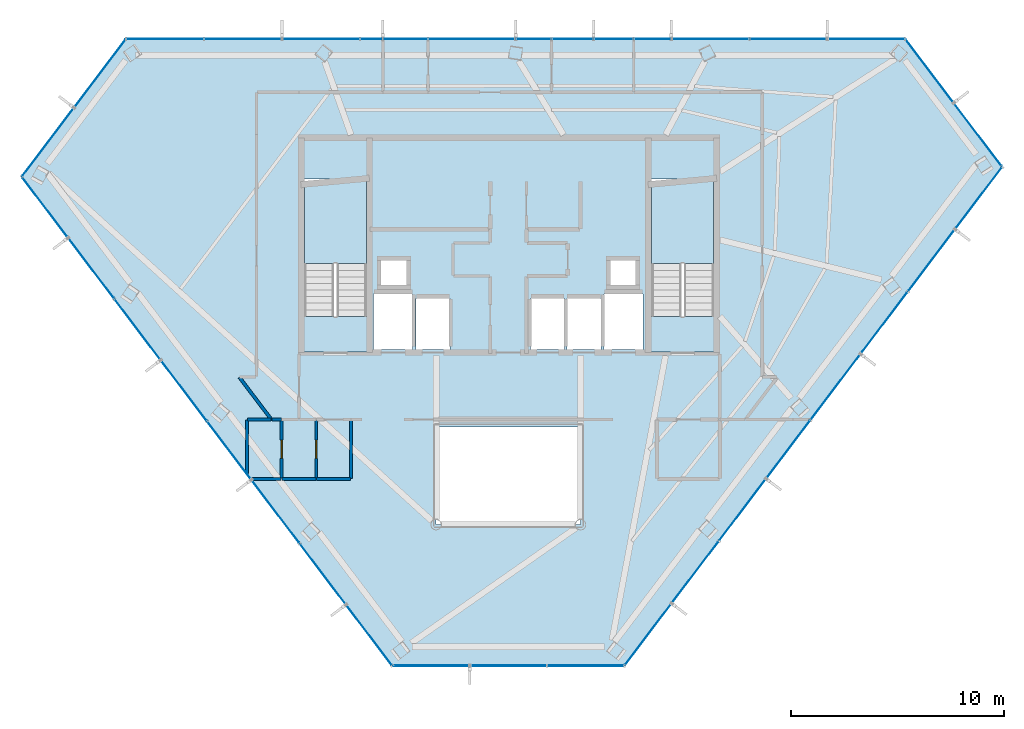
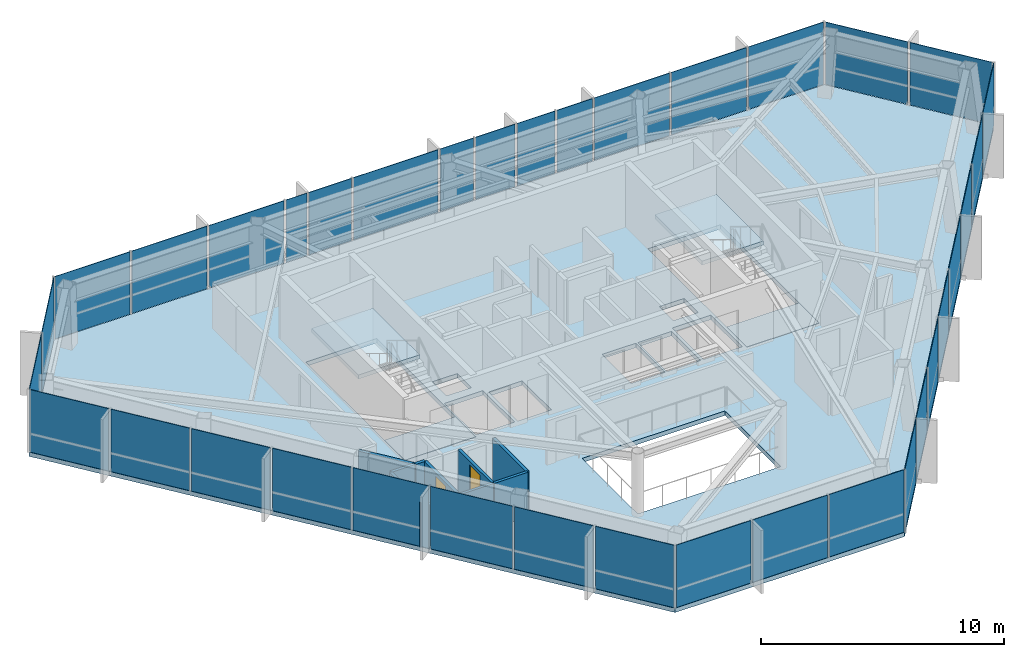
# One storey, part 21 of 25: 36 plates, 10 walls, 5 slabs, 2 doors, 2 openings, 8 elements without a shape of their own.
"""IFC4 building model written with IfcOpenShell, lengths in metres."""

from ifc_helpers import new_model, si_unit, direction, frame, frame_2d, origin, origin_2d, place, context, subcontext, project, spatial, polyline, rectangle, outline, extrude, material, layer, layer_set, type_object, element, fill, aggregate, save


model = new_model("IFC4")

# Units and contexts
model_context = context("Model", 3, precision=1e-05, world=origin(), true_north=direction((0.0, 1.0)))
body_context = subcontext(model_context, "Body", "Model", "MODEL_VIEW")
ifc_project = project(units=[si_unit("LENGTHUNIT", "METRE"), si_unit("AREAUNIT", "SQUARE_METRE"), si_unit("VOLUMEUNIT", "CUBIC_METRE"), si_unit("PLANEANGLEUNIT", "RADIAN"), si_unit("MASSUNIT", "GRAM", prefix="KILO")], contexts=[model_context])

# Site, building, storey
site_placement = place(None, origin())
site = spatial("IfcSite", under=ifc_project, at=site_placement, CompositionType="ELEMENT")
building_placement = place(site_placement, origin())
building = spatial("IfcBuilding", under=site, at=building_placement, Name="Zarrinselat Tower", CompositionType="ELEMENT")
storey_placement = place(building_placement, frame((0.0, 0.0, 246.159912109375)))
storey = spatial("IfcBuildingStorey", under=building, at=storey_placement, Name="L62", CompositionType="ELEMENT", Elevation=246.159912109375)

# Curtain wall, plates
ifc_material_1 = material(Name="Extruded Aluminium Alloy EN AW-6063 T6", Category="aluminium")
ifc_layer_1 = layer(ifc_material_1, 0.169921875)
ifc_layer_set_1 = layer_set([ifc_layer_1], Name="Extruded Aluminium Alloy EN AW-6063 T6")
curtain_wall_type = type_object("IfcCurtainWallType", Name="CWS-RES", PredefinedType="NOTDEFINED", material=ifc_layer_set_1)
curtain_wall_1_placement = place(storey_placement, origin())
curtain_wall_1 = element("IfcCurtainWall", 1, at=curtain_wall_1_placement, inside=storey, type_object=curtain_wall_type, Name="L62 Unitised Curtain Wall CW-L62-E01", PredefinedType="NOTDEFINED")
ifc_material_2 = material(Name="Double Low-E Laminated Solar Glass", Category="glass")
ifc_layer_2 = layer(ifc_material_2, 0.028076171875)
ifc_layer_set_2 = layer_set([ifc_layer_2], Name="Double Low-E Laminated Solar Glass")
plate_type = type_object("IfcPlateType", Name="PLT-CW-GL28", PredefinedType="CURTAIN_PANEL", material=ifc_layer_set_2)
plate_1_placement = place(storey_placement, frame((55.236083984375, 48.06103515625, 0.02001953125), z_axis=(0.0, 0.0, 1.0), x_axis=(-1.0, 0.0, 0.0)))
plate_1 = element("IfcPlate", 2, at=plate_1_placement, type_object=plate_type, Name="CW-L62-E01 Vision Glass Panel 1", PredefinedType="CURTAIN_PANEL", context=body_context, shape_type="SweptSolid", body=[
    extrude(rectangle(XDim=3.564697265625, YDim=0.028076171875, at=origin_2d()), origin(), (0.0, 0.0, 1.0), 3.139892578125),
])
plate_2_placement = place(storey_placement, frame((51.5712890625, 48.06103515625, 0.02001953125), z_axis=(0.0, 0.0, 1.0), x_axis=(-1.0, 0.0, 0.0)))
plate_2 = element("IfcPlate", 3, at=plate_2_placement, type_object=plate_type, Name="CW-L62-E01 Vision Glass Panel 2", PredefinedType="CURTAIN_PANEL", context=body_context, shape_type="SweptSolid", body=[
    extrude(rectangle(XDim=3.564697265625, YDim=0.028076171875, at=origin_2d()), origin(), (0.0, 0.0, 1.0), 3.139892578125),
])
plate_3_placement = place(storey_placement, frame((47.90673828125, 48.06103515625, 0.02001953125), z_axis=(0.0, 0.0, 1.0), x_axis=(-1.0, 0.0, 0.0)))
plate_3 = element("IfcPlate", 4, at=plate_3_placement, type_object=plate_type, Name="CW-L62-E01 Vision Glass Panel 3", PredefinedType="CURTAIN_PANEL", context=body_context, shape_type="SweptSolid", body=[
    extrude(rectangle(XDim=3.564697265625, YDim=0.028076171875, at=origin_2d()), origin(), (0.0, 0.0, 1.0), 3.139892578125),
])
plate_4_placement = place(storey_placement, frame((45.18701171875, 48.06103515625, 0.02001953125), z_axis=(0.0, 0.0, 1.0), x_axis=(-1.0, 0.0, 0.0)))
plate_4 = element("IfcPlate", 5, at=plate_4_placement, type_object=plate_type, Name="CW-L62-E01 Vision Glass Panel 4", PredefinedType="CURTAIN_PANEL", context=body_context, shape_type="SweptSolid", body=[
    extrude(rectangle(XDim=1.67431640625, YDim=0.028076171875, at=origin_2d()), origin(), (0.0, 0.0, 1.0), 3.139892578125),
])
plate_5_placement = place(storey_placement, frame((43.354736328125, 48.06103515625, 0.02001953125), z_axis=(0.0, 0.0, 1.0), x_axis=(-1.0, 0.0, 0.0)))
plate_5 = element("IfcPlate", 6, at=plate_5_placement, type_object=plate_type, Name="CW-L62-E01 Vision Glass Panel 5", PredefinedType="CURTAIN_PANEL", context=body_context, shape_type="SweptSolid", body=[
    extrude(rectangle(XDim=1.79052734375, YDim=0.028076171875, at=origin_2d()), origin(), (0.0, 0.0, 1.0), 3.139892578125),
])
plate_6_placement = place(storey_placement, frame((41.419677734375, 48.06103515625, 0.02001953125), z_axis=(0.0, 0.0, 1.0), x_axis=(-1.0, 0.0, 0.0)))
plate_6 = element("IfcPlate", 7, at=plate_6_placement, type_object=plate_type, Name="CW-L62-E01 Vision Glass Panel 6", PredefinedType="CURTAIN_PANEL", context=body_context, shape_type="SweptSolid", body=[
    extrude(rectangle(XDim=1.8798828125, YDim=0.028076171875, at=origin_2d()), origin(), (0.0, 0.0, 1.0), 3.139892578125),
])
plate_7_placement = place(storey_placement, frame((39.587158203125, 48.06103515625, 0.02001953125), z_axis=(0.0, 0.0, 1.0), x_axis=(-1.0, 0.0, 0.0)))
plate_7 = element("IfcPlate", 8, at=plate_7_placement, type_object=plate_type, Name="CW-L62-E01 Vision Glass Panel 7", PredefinedType="CURTAIN_PANEL", context=body_context, shape_type="SweptSolid", body=[
    extrude(rectangle(XDim=1.584716796875, YDim=0.028076171875, at=origin_2d()), origin(), (0.0, 0.0, 1.0), 3.139892578125),
])
plate_8_placement = place(storey_placement, frame((36.684326171875, 48.06103515625, 0.02001953125), z_axis=(0.0, 0.0, 1.0), x_axis=(-1.0, 0.0, 0.0)))
plate_8 = element("IfcPlate", 9, at=plate_8_placement, type_object=plate_type, Name="CW-L62-E01 Vision Glass Panel 8", PredefinedType="CURTAIN_PANEL", context=body_context, shape_type="SweptSolid", body=[
    extrude(rectangle(XDim=4.020751953125, YDim=0.028076171875, at=origin_2d()), origin(), (0.0, 0.0, 1.0), 3.139892578125),
])
plate_9_placement = place(storey_placement, frame((33.56201171875, 48.06103515625, 0.02001953125), z_axis=(0.0, 0.0, 1.0), x_axis=(-1.0, 0.0, 0.0)))
plate_9 = element("IfcPlate", 10, at=plate_9_placement, type_object=plate_type, Name="CW-L62-E01 Vision Glass Panel 9", PredefinedType="CURTAIN_PANEL", context=body_context, shape_type="SweptSolid", body=[
    extrude(rectangle(XDim=2.02392578125, YDim=0.028076171875, at=origin_2d()), origin(), (0.0, 0.0, 1.0), 3.139892578125),
])
plate_10_placement = place(storey_placement, frame((31.95751953125, 48.06103515625, 0.02001953125), z_axis=(0.0, 0.0, 1.0), x_axis=(-1.0, 0.0, 0.0)))
plate_10 = element("IfcPlate", 11, at=plate_10_placement, type_object=plate_type, Name="CW-L62-E01 Vision Glass Panel 10", PredefinedType="CURTAIN_PANEL", context=body_context, shape_type="SweptSolid", body=[
    extrude(rectangle(XDim=0.98486328125, YDim=0.028076171875, at=origin_2d()), origin(), (0.0, 0.0, 1.0), 3.139892578125),
])
plate_11_placement = place(storey_placement, frame((29.582763671875, 48.06103515625, 0.02001953125), z_axis=(0.0, 0.0, 1.0), x_axis=(-1.0, 0.0, 0.0)))
plate_11 = element("IfcPlate", 12, at=plate_11_placement, type_object=plate_type, Name="CW-L62-E01 Vision Glass Panel 11", PredefinedType="CURTAIN_PANEL", context=body_context, shape_type="SweptSolid", body=[
    extrude(rectangle(XDim=3.564697265625, YDim=0.028076171875, at=origin_2d()), origin(), (0.0, 0.0, 1.0), 3.139892578125),
])
plate_12_placement = place(storey_placement, frame((25.918212890625, 48.06103515625, 0.02001953125), z_axis=(0.0, 0.0, 1.0), x_axis=(-1.0, 0.0, 0.0)))
plate_12 = element("IfcPlate", 13, at=plate_12_placement, type_object=plate_type, Name="CW-L62-E01 Vision Glass Panel 12", PredefinedType="CURTAIN_PANEL", context=body_context, shape_type="SweptSolid", body=[
    extrude(rectangle(XDim=3.564697265625, YDim=0.028076171875, at=origin_2d()), origin(), (0.0, 0.0, 1.0), 3.139892578125),
])
plate_13_placement = place(storey_placement, frame((22.25341796875, 48.06103515625, 0.02001953125), z_axis=(0.0, 0.0, 1.0), x_axis=(-1.0, 0.0, 0.0)))
plate_13 = element("IfcPlate", 14, at=plate_13_placement, type_object=plate_type, Name="CW-L62-E01 Vision Glass Panel 13", PredefinedType="CURTAIN_PANEL", context=body_context, shape_type="SweptSolid", body=[
    extrude(rectangle(XDim=3.564697265625, YDim=0.028076171875, at=origin_2d()), origin(), (0.0, 0.0, 1.0), 3.139892578125),
])
aggregate(curtain_wall_1, [plate_1, plate_2, plate_3, plate_4, plate_5, plate_6, plate_7, plate_8, plate_9, plate_10, plate_11, plate_12, plate_13])

curtain_wall_2_placement = place(storey_placement, origin())
curtain_wall_2 = element("IfcCurtainWall", 15, at=curtain_wall_2_placement, inside=storey, type_object=curtain_wall_type, Name="L62 Unitised Curtain Wall CW-L62-E02", PredefinedType="NOTDEFINED")
plate_14_placement = place(storey_placement, frame((19.192626953125, 46.439697265625, 0.02001953125), z_axis=(0.0, 0.0, 1.0), x_axis=(-0.603859107785, -0.797091072554, 0.0)))
plate_14 = element("IfcPlate", 16, at=plate_14_placement, type_object=plate_type, Name="CW-L62-E02 Vision Glass Panel 1", PredefinedType="CURTAIN_PANEL", context=body_context, shape_type="SweptSolid", body=[
    extrude(rectangle(XDim=3.96826171875, YDim=0.028076171875, at=origin_2d()), origin(), (0.0, 0.0, 1.0), 3.139892578125),
])
plate_15_placement = place(storey_placement, frame((16.736083984375, 43.197021484375, 0.02001953125), z_axis=(0.0, 0.0, 1.0), x_axis=(-0.603859107785, -0.797091072554, 0.0)))
plate_15 = element("IfcPlate", 17, at=plate_15_placement, type_object=plate_type, Name="CW-L62-E02 Vision Glass Panel 2", PredefinedType="CURTAIN_PANEL", context=body_context, shape_type="SweptSolid", body=[
    extrude(rectangle(XDim=3.96826171875, YDim=0.028076171875, at=origin_2d()), origin(), (0.0, 0.0, 1.0), 3.139892578125),
])
aggregate(curtain_wall_2, [plate_14, plate_15])

curtain_wall_3_placement = place(storey_placement, origin())
curtain_wall_3 = element("IfcCurtainWall", 18, at=curtain_wall_3_placement, inside=storey, type_object=curtain_wall_type, Name="L62 Unitised Curtain Wall CW-L62-E03", PredefinedType="NOTDEFINED")
plate_16_placement = place(storey_placement, frame((16.597412109375, 40.137451171875, 0.02001953125), z_axis=(0.0, 0.0, 1.0), x_axis=(0.603857888062, -0.797091996588, 0.0)))
plate_16 = element("IfcPlate", 19, at=plate_16_placement, type_object=plate_type, Name="CW-L62-E03 Vision Glass Panel 1", PredefinedType="CURTAIN_PANEL", context=body_context, shape_type="SweptSolid", body=[
    extrude(rectangle(XDim=3.5087890625, YDim=0.028076171875, at=origin_2d()), origin(), (0.0, 0.0, 1.0), 3.139892578125),
])
plate_17_placement = place(storey_placement, frame((18.776611328125, 37.2607421875, 0.02001953125), z_axis=(0.0, 0.0, 1.0), x_axis=(0.603857888062, -0.797091996588, 0.0)))
plate_17 = element("IfcPlate", 20, at=plate_17_placement, type_object=plate_type, Name="CW-L62-E03 Vision Glass Panel 2", PredefinedType="CURTAIN_PANEL", context=body_context, shape_type="SweptSolid", body=[
    extrude(rectangle(XDim=3.5087890625, YDim=0.028076171875, at=origin_2d()), origin(), (0.0, 0.0, 1.0), 3.139892578125),
])
plate_18_placement = place(storey_placement, frame((20.955810546875, 34.384033203125, 0.02001953125), z_axis=(0.0, 0.0, 1.0), x_axis=(0.603857888062, -0.797091996588, 0.0)))
plate_18 = element("IfcPlate", 21, at=plate_18_placement, type_object=plate_type, Name="CW-L62-E03 Vision Glass Panel 3", PredefinedType="CURTAIN_PANEL", context=body_context, shape_type="SweptSolid", body=[
    extrude(rectangle(XDim=3.5087890625, YDim=0.028076171875, at=origin_2d()), origin(), (0.0, 0.0, 1.0), 3.139892578125),
])
plate_19_placement = place(storey_placement, frame((23.135009765625, 31.507568359375, 0.02001953125), z_axis=(0.0, 0.0, 1.0), x_axis=(0.603857888062, -0.797091996588, 0.0)))
plate_19 = element("IfcPlate", 22, at=plate_19_placement, type_object=plate_type, Name="CW-L62-E03 Vision Glass Panel 4", PredefinedType="CURTAIN_PANEL", context=body_context, shape_type="SweptSolid", body=[
    extrude(rectangle(XDim=3.5087890625, YDim=0.028076171875, at=origin_2d()), origin(), (0.0, 0.0, 1.0), 3.139892578125),
])
plate_20_placement = place(storey_placement, frame((25.2685546875, 28.69140625, 0.02001953125), z_axis=(0.0, 0.0, 1.0), x_axis=(0.603857888062, -0.797091996588, 0.0)))
plate_20 = element("IfcPlate", 23, at=plate_20_placement, type_object=plate_type, Name="CW-L62-E03 Vision Glass Panel 5", PredefinedType="CURTAIN_PANEL", context=body_context, shape_type="SweptSolid", body=[
    extrude(rectangle(XDim=3.356689453125, YDim=0.028076171875, at=origin_2d()), origin(), (0.0, 0.0, 1.0), 3.139892578125),
])
plate_21_placement = place(storey_placement, frame((27.44775390625, 25.81494140625, 0.02001953125), z_axis=(0.0, 0.0, 1.0), x_axis=(0.603857888062, -0.797091996588, 0.0)))
plate_21 = element("IfcPlate", 24, at=plate_21_placement, type_object=plate_type, Name="CW-L62-E03 Vision Glass Panel 6", PredefinedType="CURTAIN_PANEL", context=body_context, shape_type="SweptSolid", body=[
    extrude(rectangle(XDim=3.660888671875, YDim=0.028076171875, at=origin_2d()), origin(), (0.0, 0.0, 1.0), 3.139892578125),
])
plate_22_placement = place(storey_placement, frame((29.6728515625, 22.877685546875, 0.02001953125), z_axis=(0.0, 0.0, 1.0), x_axis=(0.603857888062, -0.797091996588, 0.0)))
plate_22 = element("IfcPlate", 25, at=plate_22_placement, type_object=plate_type, Name="CW-L62-E03 Vision Glass Panel 7", PredefinedType="CURTAIN_PANEL", context=body_context, shape_type="SweptSolid", body=[
    extrude(rectangle(XDim=3.5087890625, YDim=0.028076171875, at=origin_2d()), origin(), (0.0, 0.0, 1.0), 3.139892578125),
])
plate_23_placement = place(storey_placement, frame((31.852294921875, 20.0009765625, 0.02001953125), z_axis=(0.0, 0.0, 1.0), x_axis=(0.603857888062, -0.797091996588, 0.0)))
plate_23 = element("IfcPlate", 26, at=plate_23_placement, type_object=plate_type, Name="CW-L62-E03 Vision Glass Panel 8", PredefinedType="CURTAIN_PANEL", context=body_context, shape_type="SweptSolid", body=[
    extrude(rectangle(XDim=3.5087890625, YDim=0.028076171875, at=origin_2d()), origin(), (0.0, 0.0, 1.0), 3.139892578125),
])
aggregate(curtain_wall_3, [plate_16, plate_17, plate_18, plate_19, plate_20, plate_21, plate_22, plate_23])

curtain_wall_4_placement = place(storey_placement, origin())
curtain_wall_4 = element("IfcCurtainWall", 27, at=curtain_wall_4_placement, inside=storey, type_object=curtain_wall_type, Name="L62 Unitised Curtain Wall CW-L62-E04", PredefinedType="NOTDEFINED")
plate_24_placement = place(storey_placement, frame((34.76123046875, 18.562744140625, 0.02001953125), z_axis=(0.0, 0.0, 1.0), x_axis=(1.0, 0.0, 0.0)))
plate_24 = element("IfcPlate", 28, at=plate_24_placement, type_object=plate_type, Name="CW-L62-E04 Vision Glass Panel 1", PredefinedType="CURTAIN_PANEL", context=body_context, shape_type="SweptSolid", body=[
    extrude(rectangle(XDim=3.538818359375, YDim=0.028076171875, at=origin_2d()), origin(), (0.0, 0.0, 1.0), 3.139892578125),
])
plate_25_placement = place(storey_placement, frame((38.39990234375, 18.562744140625, 0.02001953125), z_axis=(0.0, 0.0, 1.0), x_axis=(1.0, 0.0, 0.0)))
plate_25 = element("IfcPlate", 29, at=plate_25_placement, type_object=plate_type, Name="CW-L62-E04 Vision Glass Panel 2", PredefinedType="CURTAIN_PANEL", context=body_context, shape_type="SweptSolid", body=[
    extrude(rectangle(XDim=3.538818359375, YDim=0.028076171875, at=origin_2d()), origin(), (0.0, 0.0, 1.0), 3.139892578125),
])
plate_26_placement = place(storey_placement, frame((42.038818359375, 18.562744140625, 0.02001953125), z_axis=(0.0, 0.0, 1.0), x_axis=(1.0, 0.0, 0.0)))
plate_26 = element("IfcPlate", 30, at=plate_26_placement, type_object=plate_type, Name="CW-L62-E04 Vision Glass Panel 3", PredefinedType="CURTAIN_PANEL", context=body_context, shape_type="SweptSolid", body=[
    extrude(rectangle(XDim=3.538818359375, YDim=0.028076171875, at=origin_2d()), origin(), (0.0, 0.0, 1.0), 3.139892578125),
])
aggregate(curtain_wall_4, [plate_24, plate_25, plate_26])

curtain_wall_5_placement = place(storey_placement, origin())
curtain_wall_5 = element("IfcCurtainWall", 31, at=curtain_wall_5_placement, inside=storey, type_object=curtain_wall_type, Name="L62 Unitised Curtain Wall CW-L62-E05", PredefinedType="NOTDEFINED")
plate_27_placement = place(storey_placement, frame((44.969482421875, 20.029541015625, 0.02001953125), z_axis=(0.0, 0.0, 1.0), x_axis=(0.603858472709, 0.797091553674, 0.0)))
plate_27 = element("IfcPlate", 32, at=plate_27_placement, type_object=plate_type, Name="CW-L62-E05 Vision Glass Panel 1", PredefinedType="CURTAIN_PANEL", context=body_context, shape_type="SweptSolid", body=[
    extrude(rectangle(XDim=3.580322265625, YDim=0.028076171875, at=origin_2d()), origin(), (0.0, 0.0, 1.0), 3.139892578125),
])
plate_28_placement = place(storey_placement, frame((47.191650390625, 22.962890625, 0.02001953125), z_axis=(0.0, 0.0, 1.0), x_axis=(0.603858472709, 0.797091553674, 0.0)))
plate_28 = element("IfcPlate", 33, at=plate_28_placement, type_object=plate_type, Name="CW-L62-E05 Vision Glass Panel 2", PredefinedType="CURTAIN_PANEL", context=body_context, shape_type="SweptSolid", body=[
    extrude(rectangle(XDim=3.580322265625, YDim=0.028076171875, at=origin_2d()), origin(), (0.0, 0.0, 1.0), 3.139892578125),
])
plate_29_placement = place(storey_placement, frame((49.4140625, 25.896484375, 0.02001953125), z_axis=(0.0, 0.0, 1.0), x_axis=(0.603858472709, 0.797091553674, 0.0)))
plate_29 = element("IfcPlate", 34, at=plate_29_placement, type_object=plate_type, Name="CW-L62-E05 Vision Glass Panel 3", PredefinedType="CURTAIN_PANEL", context=body_context, shape_type="SweptSolid", body=[
    extrude(rectangle(XDim=3.580322265625, YDim=0.028076171875, at=origin_2d()), origin(), (0.0, 0.0, 1.0), 3.139892578125),
])
plate_30_placement = place(storey_placement, frame((51.567138671875, 28.738525390625, 0.02001953125), z_axis=(0.0, 0.0, 1.0), x_axis=(0.603858472709, 0.797091553674, 0.0)))
plate_30 = element("IfcPlate", 35, at=plate_30_placement, type_object=plate_type, Name="CW-L62-E05 Vision Glass Panel 4", PredefinedType="CURTAIN_PANEL", context=body_context, shape_type="SweptSolid", body=[
    extrude(rectangle(XDim=3.3505859375, YDim=0.028076171875, at=origin_2d()), origin(), (0.0, 0.0, 1.0), 3.139892578125),
])
plate_31_placement = place(storey_placement, frame((53.78955078125, 31.672119140625, 0.02001953125), z_axis=(0.0, 0.0, 1.0), x_axis=(0.603858472709, 0.797091553674, 0.0)))
plate_31 = element("IfcPlate", 36, at=plate_31_placement, type_object=plate_type, Name="CW-L62-E05 Vision Glass Panel 5", PredefinedType="CURTAIN_PANEL", context=body_context, shape_type="SweptSolid", body=[
    extrude(rectangle(XDim=3.809814453125, YDim=0.028076171875, at=origin_2d()), origin(), (0.0, 0.0, 1.0), 3.139892578125),
])
plate_32_placement = place(storey_placement, frame((56.081298828125, 34.697021484375, 0.02001953125), z_axis=(0.0, 0.0, 1.0), x_axis=(0.603858472709, 0.797091553674, 0.0)))
plate_32 = element("IfcPlate", 37, at=plate_32_placement, type_object=plate_type, Name="CW-L62-E05 Vision Glass Panel 6", PredefinedType="CURTAIN_PANEL", context=body_context, shape_type="SweptSolid", body=[
    extrude(rectangle(XDim=3.580322265625, YDim=0.028076171875, at=origin_2d()), origin(), (0.0, 0.0, 1.0), 3.139892578125),
])
plate_33_placement = place(storey_placement, frame((58.3037109375, 37.630615234375, 0.02001953125), z_axis=(0.0, 0.0, 1.0), x_axis=(0.603858472709, 0.797091553674, 0.0)))
plate_33 = element("IfcPlate", 38, at=plate_33_placement, type_object=plate_type, Name="CW-L62-E05 Vision Glass Panel 7", PredefinedType="CURTAIN_PANEL", context=body_context, shape_type="SweptSolid", body=[
    extrude(rectangle(XDim=3.580322265625, YDim=0.028076171875, at=origin_2d()), origin(), (0.0, 0.0, 1.0), 3.139892578125),
])
plate_34_placement = place(storey_placement, frame((60.52587890625, 40.56396484375, 0.02001953125), z_axis=(0.0, 0.0, 1.0), x_axis=(0.603858472709, 0.797091553674, 0.0)))
plate_34 = element("IfcPlate", 39, at=plate_34_placement, type_object=plate_type, Name="CW-L62-E05 Vision Glass Panel 8", PredefinedType="CURTAIN_PANEL", context=body_context, shape_type="SweptSolid", body=[
    extrude(rectangle(XDim=3.580322265625, YDim=0.028076171875, at=origin_2d()), origin(), (0.0, 0.0, 1.0), 3.139892578125),
])
aggregate(curtain_wall_5, [plate_27, plate_28, plate_29, plate_30, plate_31, plate_32, plate_33, plate_34])

curtain_wall_6_placement = place(storey_placement, origin())
curtain_wall_6 = element("IfcCurtainWall", 40, at=curtain_wall_6_placement, inside=storey, type_object=curtain_wall_type, Name="L62 Unitised Curtain Wall CW-L62-E06", PredefinedType="NOTDEFINED")
plate_35_placement = place(storey_placement, frame((60.4951171875, 43.538330078125, 0.02001953125), z_axis=(0.0, 0.0, 1.0), x_axis=(-0.603865322642, 0.797086364274, 0.0)))
plate_35 = element("IfcPlate", 41, at=plate_35_placement, type_object=plate_type, Name="CW-L62-E06 Vision Glass Panel 1", PredefinedType="CURTAIN_PANEL", context=body_context, shape_type="SweptSolid", body=[
    extrude(rectangle(XDim=3.6826171875, YDim=0.028076171875, at=origin_2d()), origin(), (0.0, 0.0, 1.0), 3.139892578125),
])
plate_36_placement = place(storey_placement, frame((58.210693359375, 46.553466796875, 0.02001953125), z_axis=(0.0, 0.0, 1.0), x_axis=(-0.603865322642, 0.797086364274, 0.0)))
plate_36 = element("IfcPlate", 42, at=plate_36_placement, type_object=plate_type, Name="CW-L62-E06 Vision Glass Panel 2", PredefinedType="CURTAIN_PANEL", context=body_context, shape_type="SweptSolid", body=[
    extrude(rectangle(XDim=3.6826171875, YDim=0.028076171875, at=origin_2d()), origin(), (0.0, 0.0, 1.0), 3.139892578125),
])
aggregate(curtain_wall_6, [plate_35, plate_36])

# Slabs
ifc_material_3 = material(Name="Concrete C40/50", Category="concrete")
ifc_layer_3 = layer(ifc_material_3, 0.219970703125)
ifc_layer_set_3 = layer_set([ifc_layer_3], Name="Concrete C40/50")
slab_type_1 = type_object("IfcSlabType", Name="SLB-FLOOR-220-SL-RS220", PredefinedType="FLOOR", material=ifc_layer_set_3)
slab_1_placement = place(storey_placement, frame((0.0, 0.0, -0.219970703125)))
element("IfcSlab", 43, at=slab_1_placement, inside=storey, type_object=slab_type_1, Name="L62 Primary Structural Slab", PredefinedType="FLOOR", context=body_context, shape_type="SweptSolid", body=[
    extrude(outline(polyline([(57.068603515625, 48.06103515625), (20.4208984375, 48.06103515625), (15.5078125, 41.57568359375), (32.94189453125, 18.562744140625), (43.858154296875, 18.562744140625), (61.63720703125, 42.03076171875), (57.068603515625, 48.06103515625)]), holes=[polyline([(41.800048828125, 25.199951171875), (35.0, 25.199951171875), (35.0, 29.800048828125), (41.800048828125, 29.800048828125), (41.800048828125, 25.199951171875)]), polyline([(35.64990234375, 33.449951171875), (34.050048828125, 33.449951171875), (34.050048828125, 35.85009765625), (35.64990234375, 35.85009765625), (35.64990234375, 33.449951171875)]), polyline([(41.050048828125, 33.449951171875), (39.449951171875, 33.449951171875), (39.449951171875, 35.85009765625), (41.050048828125, 35.85009765625), (41.050048828125, 33.449951171875)]), polyline([(41.14990234375, 33.449951171875), (41.14990234375, 35.85009765625), (42.75, 35.85009765625), (42.75, 33.449951171875), (41.14990234375, 33.449951171875)]), polyline([(32.06005859375, 33.449951171875), (32.06005859375, 36.050048828125), (33.89990234375, 36.050048828125), (33.89990234375, 33.449951171875), (32.06005859375, 33.449951171875)]), polyline([(44.739990234375, 33.449951171875), (42.89990234375, 33.449951171875), (42.89990234375, 36.050048828125), (44.739990234375, 36.050048828125), (44.739990234375, 33.449951171875)]), polyline([(33.60009765625, 36.47998046875), (32.419921875, 36.47998046875), (32.419921875, 37.639892578125), (33.60009765625, 37.639892578125), (33.60009765625, 36.47998046875)]), polyline([(44.3798828125, 36.47998046875), (43.199951171875, 36.47998046875), (43.199951171875, 37.639892578125), (44.3798828125, 37.639892578125), (44.3798828125, 36.47998046875)]), polyline([(31.985107421875, 33.324951171875), (28.60498046875, 33.324951171875), (28.60498046875, 41.47509765625), (31.985107421875, 41.47509765625), (31.985107421875, 33.324951171875)]), polyline([(48.324951171875, 33.324951171875), (44.875, 33.324951171875), (44.875, 41.47509765625), (48.324951171875, 41.47509765625), (48.324951171875, 33.324951171875)])]), origin(), (0.0, 0.0, 1.0), 0.219970703125),
])
slab_2_placement = place(storey_placement, frame((0.0, 0.0, -0.219970703125)))
element("IfcSlab", 44, at=slab_2_placement, inside=storey, type_object=slab_type_1, Name="L62 Stair ST-1-FL1 Structural Floor Landing", PredefinedType="FLOOR", context=body_context, shape_type="SweptSolid", body=[
    extrude(outline(polyline([(31.97998046875, 33.330078125), (31.97998046875, 35.0), (28.610107421875, 35.0), (28.610107421875, 33.330078125), (31.97998046875, 33.330078125)])), origin(), (0.0, 0.0, 1.0), 0.219970703125),
])
slab_3_placement = place(storey_placement, frame((0.0, 0.0, -0.219970703125)))
element("IfcSlab", 45, at=slab_3_placement, inside=storey, type_object=slab_type_1, Name="L62 Stair ST-2-FL1 Structural Floor Landing", PredefinedType="FLOOR", context=body_context, shape_type="SweptSolid", body=[
    extrude(outline(polyline([(48.320068359375, 33.330078125), (48.320068359375, 35.0), (44.8798828125, 35.0), (44.8798828125, 33.330078125), (48.320068359375, 33.330078125)])), origin(), (0.0, 0.0, 1.0), 0.219970703125),
])

# Stair, slab
ifc_material_4 = material(Name="Concrete C40/50", Category="concrete")
stair_type = type_object("IfcStairType", Name="STR-CORE-155", PredefinedType="HALF_TURN_STAIR", material=ifc_material_4)
stair_1_placement = place(storey_placement, origin())
stair_1 = element("IfcStair", 46, at=stair_1_placement, inside=storey, type_object=stair_type, Name="L62 Core Exit Stair 1", PredefinedType="HALF_TURN_STAIR")
ifc_material_5 = material(Name="Concrete C40/50", Category="concrete")
ifc_layer_4 = layer(ifc_material_5, 0.18994140625)
ifc_layer_set_4 = layer_set([ifc_layer_4], Name="Concrete C40/50")
slab_type_2 = type_object("IfcSlabType", Name="SLB-LND-190", PredefinedType="LANDING", material=ifc_layer_set_4)
slab_4_placement = place(storey_placement, frame((0.0, 0.0, 1.5)))
slab_4 = element("IfcSlab", 47, at=slab_4_placement, type_object=slab_type_2, Name="ST-1 landing 1", PredefinedType="LANDING", context=body_context, shape_type="SweptSolid", body=[
    extrude(outline(polyline([(31.719970703125, 37.47998046875), (31.719970703125, 41.35009765625), (28.800048828125, 41.35009765625), (28.800048828125, 37.47998046875), (31.719970703125, 37.47998046875)])), origin(), (0.0, 0.0, 1.0), 0.2001953125),
])
aggregate(stair_1, [slab_4])

stair_2_placement = place(storey_placement, origin())
stair_2 = element("IfcStair", 48, at=stair_2_placement, inside=storey, type_object=stair_type, Name="L62 Core Exit Stair 2", PredefinedType="HALF_TURN_STAIR")
slab_5_placement = place(storey_placement, frame((0.0, 0.0, 1.5)))
slab_5 = element("IfcSlab", 49, at=slab_5_placement, type_object=slab_type_2, Name="ST-2 landing 1", PredefinedType="LANDING", context=body_context, shape_type="SweptSolid", body=[
    extrude(outline(polyline([(48.06005859375, 37.47998046875), (48.06005859375, 41.35009765625), (45.139892578125, 41.35009765625), (45.139892578125, 37.47998046875), (48.06005859375, 37.47998046875)])), origin(), (0.0, 0.0, 1.0), 0.2001953125),
])
aggregate(stair_2, [slab_5])

# Walls
ifc_material_6 = material(Name="Fire-Rated Gypsum Board Partition", Category="gypsum")
ifc_layer_5 = layer(ifc_material_6, 0.14990234375)
ifc_layer_set_5 = layer_set([ifc_layer_5], Name="Fire-Rated Gypsum Board Partition")
wall_type_1 = type_object("IfcWallType", Name="WAL-PART-EI60", PredefinedType="PARTITIONING", material=ifc_layer_set_5)
wall_1_placement = place(storey_placement, frame((27.269775390625, 30.14990234375, 0.0), z_axis=(0.0, 0.0, 1.0), x_axis=(1.0, 0.0, 0.0)))
element("IfcWall", 50, at=wall_1_placement, inside=storey, type_object=wall_type_1, Name="L62 Partition Wall 26", PredefinedType="PARTITIONING", context=body_context, shape_type="SweptSolid", body=[
    extrude(rectangle(XDim=0.455322265625, YDim=0.14990234375, at=frame_2d((0.2275390625, 0.0))), origin(), (0.0, 0.0, 1.0), 2.235107421875),
])
wall_2_placement = place(storey_placement, frame((25.74658203125, 32.134033203125, 0.0), z_axis=(0.0, 0.0, 1.0), x_axis=(0.603931928578, -0.797035899847, 0.0)))
element("IfcWall", 51, at=wall_2_placement, inside=storey, type_object=wall_type_1, Name="L62 Partition Wall 29", PredefinedType="PARTITIONING", context=body_context, shape_type="SweptSolid", body=[
    extrude(rectangle(XDim=2.46923828125, YDim=0.14990234375, at=frame_2d((1.234619140625, 0.0))), origin(), (0.0, 0.0, 1.0), 2.235107421875),
])
ifc_material_7 = material(Name="Fire-Rated Gypsum Board Partition", Category="gypsum")
ifc_layer_6 = layer(ifc_material_7, 0.1201171875)
ifc_layer_set_6 = layer_set([ifc_layer_6], Name="Fire-Rated Gypsum Board Partition")
wall_type_2 = type_object("IfcWallType", Name="WAL-PART-STD", PredefinedType="PARTITIONING", material=ifc_layer_set_6)
wall_3_placement = place(storey_placement, frame((27.75, 27.35009765625, 0.0), z_axis=(0.0, 0.0, 1.0), x_axis=(1.0, 0.0, 0.0)))
element("IfcWall", 52, at=wall_3_placement, inside=storey, type_object=wall_type_2, Name="L62 Partition Wall 51", PredefinedType="PARTITIONING", context=body_context, shape_type="SweptSolid", body=[
    extrude(rectangle(XDim=1.590087890625, YDim=0.1201171875, at=frame_2d((0.794921875, 0.0))), origin(), (0.0, 0.0, 1.0), 2.235107421875),
])

# Wall, opening, door
ifc_material_8 = material(Name="Fire-Rated Gypsum Board Partition", Category="gypsum")
ifc_layer_7 = layer(ifc_material_8, 0.135009765625)
ifc_layer_set_7 = layer_set([ifc_layer_7], Name="Fire-Rated Gypsum Board Partition")
wall_type_3 = type_object("IfcWallType", Name="WAL-PART-WET", PredefinedType="PARTITIONING", material=ifc_layer_set_7)
wall_4_placement = place(storey_placement, frame((29.360107421875, 27.3701171875, 0.0), z_axis=(0.0, 0.0, 1.0), x_axis=(0.0, 1.0, 0.0)))
wall_4 = element("IfcWall", 53, at=wall_4_placement, inside=storey, type_object=wall_type_3, Name="L62 Partition Wall 44", PredefinedType="PARTITIONING", context=body_context, shape_type="SweptSolid", body=[
    extrude(rectangle(XDim=2.759765625, YDim=0.135009765625, at=frame_2d((1.3798828125, 0.0))), origin(), (0.0, 0.0, 1.0), 2.235107421875),
])
opening_1_placement = place(wall_4_placement, frame((0.949951171875, 0.0, 0.0)))
opening_1 = element("IfcOpeningElement", 54, at=opening_1_placement, cuts=wall_4, Name="Opening ID-06", PredefinedType="OPENING", context=body_context, shape_type="SweptSolid", body=[
    extrude(rectangle(XDim=0.860107421875, YDim=2.050048828125, at=frame_2d((0.43017578125, 1.02490234375))), frame((0.0, 0.077392578125, 0.0), z_axis=(0.0, -1.0, 0.0), x_axis=(1.0, 0.0, 0.0)), (0.0, 0.0, 1.0), 0.155029296875),
])
ifc_material_9 = material(Name="Extruded Aluminium Alloy EN AW-6063 T6", Category="aluminium")
door_type = type_object("IfcDoorType", Name="DR-INT-WET-900", OperationType="NOTDEFINED", PredefinedType="DOOR", material=ifc_material_9)
door_1_placement = place(opening_1_placement, origin())
door_1 = element("IfcDoor", 55, at=door_1_placement, inside=storey, type_object=door_type, Name="L62 Interior Door P44", OperationType="SINGLE_SWING_LEFT", OverallHeight=2.050048828125, OverallWidth=0.860107421875, PredefinedType="DOOR", context=body_context, shape_type="SweptSolid", body=[
    extrude(rectangle(XDim=0.860107421875, YDim=2.050048828125, at=frame_2d((0.43017578125, 1.02490234375))), frame((0.0, 0.02490234375, 0.0), z_axis=(0.0, -1.0, 0.0), x_axis=(1.0, 0.0, 0.0)), (0.0, 0.0, 1.0), 0.050048828125),
])
fill(opening_1, door_1)

# Walls
wall_5_placement = place(storey_placement, frame((29.3798828125, 27.35009765625, 0.0), z_axis=(0.0, 0.0, 1.0), x_axis=(1.0, 0.0, 0.0)))
element("IfcWall", 56, at=wall_5_placement, inside=storey, type_object=wall_type_3, Name="L62 Partition Wall 45", PredefinedType="PARTITIONING", context=body_context, shape_type="SweptSolid", body=[
    extrude(rectangle(XDim=1.60009765625, YDim=0.135009765625, at=frame_2d((0.800048828125, 0.0))), origin(), (0.0, 0.0, 1.0), 2.235107421875),
])
wall_6_placement = place(storey_placement, frame((31.0, 27.3701171875, 0.0), z_axis=(0.0, 0.0, 1.0), x_axis=(0.0, 1.0, 0.0)))
element("IfcWall", 57, at=wall_6_placement, inside=storey, type_object=wall_type_3, Name="L62 Partition Wall 46", PredefinedType="PARTITIONING", context=body_context, shape_type="SweptSolid", body=[
    extrude(rectangle(XDim=2.759765625, YDim=0.135009765625, at=frame_2d((1.3798828125, 0.0))), origin(), (0.0, 0.0, 1.0), 2.235107421875),
])

# Wall, opening, door
wall_7_placement = place(storey_placement, frame((27.72998046875, 27.3701171875, 0.0), z_axis=(0.0, 0.0, 1.0), x_axis=(0.0, 1.0, 0.0)))
wall_7 = element("IfcWall", 58, at=wall_7_placement, inside=storey, type_object=wall_type_3, Name="L62 Partition Wall 47", PredefinedType="PARTITIONING", context=body_context, shape_type="SweptSolid", body=[
    extrude(rectangle(XDim=2.759765625, YDim=0.135009765625, at=frame_2d((1.3798828125, 0.0))), origin(), (0.0, 0.0, 1.0), 2.235107421875),
])
opening_2_placement = place(wall_7_placement, frame((0.949951171875, 0.0, 0.0)))
opening_2 = element("IfcOpeningElement", 59, at=opening_2_placement, cuts=wall_7, Name="Opening ID-06", PredefinedType="OPENING", context=body_context, shape_type="SweptSolid", body=[
    extrude(rectangle(XDim=0.860107421875, YDim=2.050048828125, at=frame_2d((0.43017578125, 1.02490234375))), frame((0.0, 0.077392578125, 0.0), z_axis=(0.0, -1.0, 0.0), x_axis=(1.0, 0.0, 0.0)), (0.0, 0.0, 1.0), 0.155029296875),
])
door_2_placement = place(opening_2_placement, origin())
door_2 = element("IfcDoor", 60, at=door_2_placement, inside=storey, type_object=door_type, Name="L62 Interior Door P47", OperationType="SINGLE_SWING_RIGHT", OverallHeight=2.050048828125, OverallWidth=0.860107421875, PredefinedType="DOOR", context=body_context, shape_type="SweptSolid", body=[
    extrude(rectangle(XDim=0.860107421875, YDim=2.050048828125, at=frame_2d((0.43017578125, 1.02490234375))), frame((0.0, 0.02490234375, 0.0), z_axis=(0.0, -1.0, 0.0), x_axis=(1.0, 0.0, 0.0)), (0.0, 0.0, 1.0), 0.050048828125),
])
fill(opening_2, door_2)

# Walls
wall_8_placement = place(storey_placement, frame((26.2998046875, 27.35009765625, 0.0), z_axis=(0.0, 0.0, 1.0), x_axis=(1.0, 0.0, 0.0)))
element("IfcWall", 61, at=wall_8_placement, inside=storey, type_object=wall_type_3, Name="L62 Partition Wall 48", PredefinedType="PARTITIONING", context=body_context, shape_type="SweptSolid", body=[
    extrude(rectangle(XDim=1.41015625, YDim=0.135009765625, at=frame_2d((0.705078125, 0.0))), origin(), (0.0, 0.0, 1.0), 2.235107421875),
])
wall_9_placement = place(storey_placement, frame((26.10009765625, 27.60888671875, 0.0), z_axis=(0.0, 0.0, 1.0), x_axis=(0.0, 1.0, 0.0)))
element("IfcWall", 62, at=wall_9_placement, inside=storey, type_object=wall_type_3, Name="L62 Partition Wall 49", PredefinedType="PARTITIONING", context=body_context, shape_type="SweptSolid", body=[
    extrude(rectangle(XDim=2.52099609375, YDim=0.135009765625, at=frame_2d((1.260498046875, 0.0))), origin(), (0.0, 0.0, 1.0), 2.235107421875),
])
wall_10_placement = place(storey_placement, frame((26.1201171875, 30.14990234375, 0.0), z_axis=(0.0, 0.0, 1.0), x_axis=(1.0, 0.0, 0.0)))
element("IfcWall", 63, at=wall_10_placement, inside=storey, type_object=wall_type_3, Name="L62 Partition Wall 50", PredefinedType="PARTITIONING", context=body_context, shape_type="SweptSolid", body=[
    extrude(rectangle(XDim=1.109619140625, YDim=0.135009765625, at=frame_2d((0.5546875, 0.0))), origin(), (0.0, 0.0, 1.0), 2.235107421875),
])

save(model, "model.ifc")
